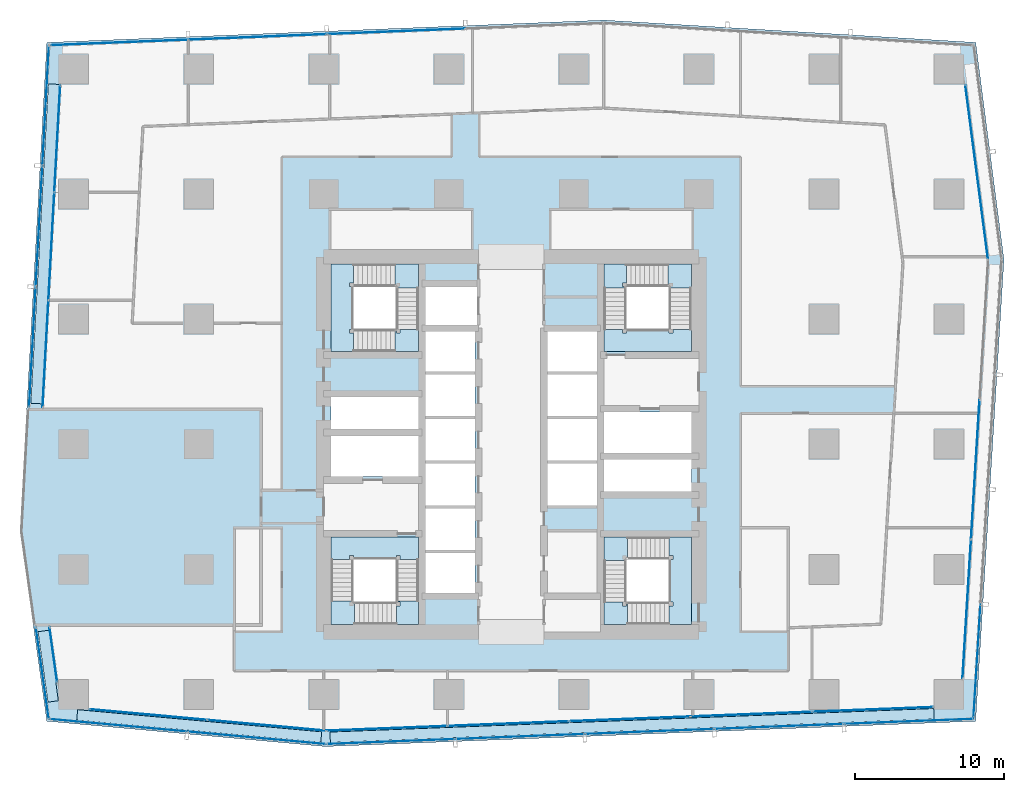
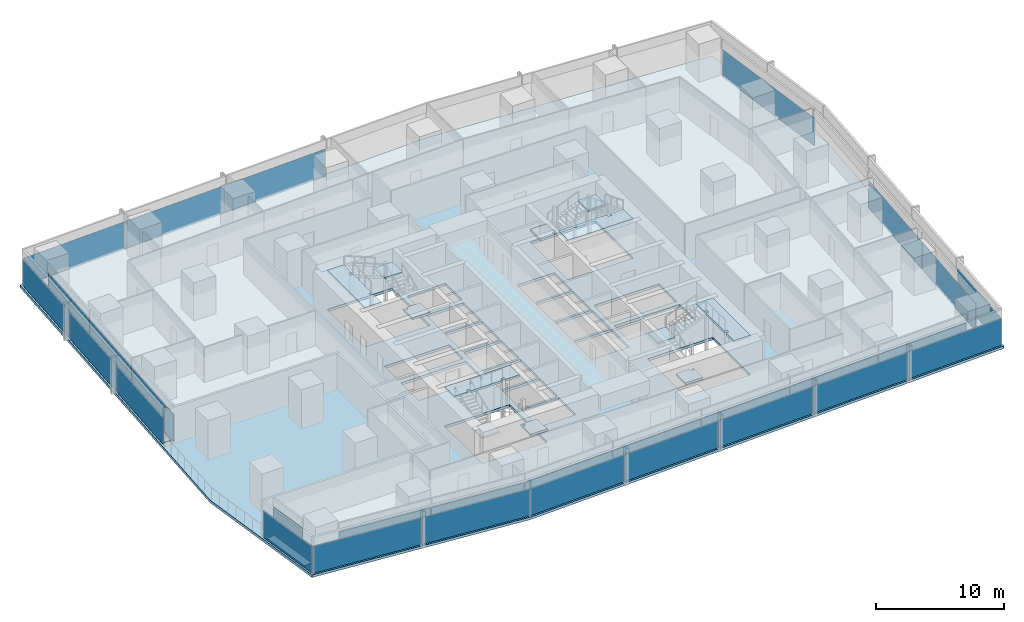
# One storey, part 24 of 36: 33 plates, 13 slabs, 16 elements without a shape of their own.
"""IFC4 building model written with IfcOpenShell, lengths in metres."""

from ifc_helpers import new_model, si_unit, direction, frame, origin, origin_2d, place, context, subcontext, project, spatial, polyline, rectangle, outline, extrude, material, layer, layer_set, type_object, element, aggregate, save


model = new_model("IFC4")

# Units and contexts
model_context = context("Model", 3, precision=1e-05, world=origin(), true_north=direction((0.0, 1.0)))
body_context = subcontext(model_context, "Body", "Model", "MODEL_VIEW")
ifc_project = project(units=[si_unit("LENGTHUNIT", "METRE"), si_unit("AREAUNIT", "SQUARE_METRE"), si_unit("VOLUMEUNIT", "CUBIC_METRE"), si_unit("PLANEANGLEUNIT", "RADIAN"), si_unit("MASSUNIT", "GRAM", prefix="KILO")], contexts=[model_context])

# Site, building, storey
site_placement = place(None, origin())
site = spatial("IfcSite", under=ifc_project, at=site_placement, CompositionType="ELEMENT")
building_placement = place(site_placement, origin())
building = spatial("IfcBuilding", under=site, at=building_placement, Name="Rekha Terrace Tower", CompositionType="ELEMENT")
storey_placement = place(building_placement, frame((0.0, 0.0, 144.050048828125)))
storey = spatial("IfcBuildingStorey", under=building, at=storey_placement, Name="L36", CompositionType="ELEMENT", Elevation=144.050048828125)

# Curtain wall, plates
ifc_material_1 = material(Name="Aluminium framing", Category="aluminium")
curtain_wall_type_1 = type_object("IfcCurtainWallType", Name="CW1 double skin inner glazing", PredefinedType="USERDEFINED", material=ifc_material_1)
curtain_wall_1_placement = place(storey_placement, origin())
curtain_wall_1 = element("IfcCurtainWall", 1, at=curtain_wall_1_placement, inside=storey, type_object=curtain_wall_type_1, Name="CW1 double skin inner glazing", ObjectType="DOUBLE SKIN INNER GLAZING", PredefinedType="USERDEFINED")
ifc_material_2 = material(Name="Double-glazed low-e unit 32", Category="glass")
ifc_layer_1 = layer(ifc_material_2, 0.031982421875)
ifc_layer_set_1 = layer_set([ifc_layer_1], Name="Double-glazed low-e unit 32")
plate_type_1 = type_object("IfcPlateType", Name="CW1 jumbo vision panel, double-glazed low-e unit 32", PredefinedType="CURTAIN_PANEL", material=ifc_layer_set_1)
plate_1_placement = place(storey_placement, frame((13.418701171875, 15.445068359375, 0.0), z_axis=(0.0, 0.0, 1.0), x_axis=(0.995901923142, -0.090439811381, 0.0)))
plate_1 = element("IfcPlate", 2, at=plate_1_placement, type_object=plate_type_1, Name="CW1 panel 1.1", PredefinedType="CURTAIN_PANEL", context=body_context, shape_type="SweptSolid", body=[
    extrude(rectangle(XDim=7.898681640625, YDim=0.031982421875, at=origin_2d()), origin(), (0.0, 0.0, 1.0), 2.60009765625),
])
plate_2_placement = place(storey_placement, frame((21.382080078125, 14.721923828125, 0.0), z_axis=(0.0, 0.0, 1.0), x_axis=(0.995901923142, -0.090439811381, 0.0)))
plate_2 = element("IfcPlate", 3, at=plate_2_placement, type_object=plate_type_1, Name="CW1 panel 2.1", PredefinedType="CURTAIN_PANEL", context=body_context, shape_type="SweptSolid", body=[
    extrude(rectangle(XDim=7.963623046875, YDim=0.031982421875, at=origin_2d()), origin(), (0.0, 0.0, 1.0), 2.60009765625),
])
aggregate(curtain_wall_1, [plate_1, plate_2])

curtain_wall_2_placement = place(storey_placement, origin())
curtain_wall_2 = element("IfcCurtainWall", 4, at=curtain_wall_2_placement, inside=storey, type_object=curtain_wall_type_1, Name="CW1 double skin inner glazing", ObjectType="DOUBLE SKIN INNER GLAZING", PredefinedType="USERDEFINED")
plate_3_placement = place(storey_placement, frame((29.446533203125, 14.521484375, 0.0), z_axis=(0.0, 0.0, 1.0), x_axis=(0.999243498918, 0.038889971328, 0.0)))
plate_3 = element("IfcPlate", 5, at=plate_3_placement, type_object=plate_type_1, Name="CW1 panel 1.1", PredefinedType="CURTAIN_PANEL", context=body_context, shape_type="SweptSolid", body=[
    extrude(rectangle(XDim=8.074462890625, YDim=0.031982421875, at=origin_2d()), origin(), (0.0, 0.0, 1.0), 2.60009765625),
])
plate_4_placement = place(storey_placement, frame((37.59619140625, 14.838623046875, 0.0), z_axis=(0.0, 0.0, 1.0), x_axis=(0.999243498918, 0.038889971328, 0.0)))
plate_4 = element("IfcPlate", 6, at=plate_4_placement, type_object=plate_type_1, Name="CW1 panel 2.1", PredefinedType="CURTAIN_PANEL", context=body_context, shape_type="SweptSolid", body=[
    extrude(rectangle(XDim=8.10693359375, YDim=0.031982421875, at=origin_2d()), origin(), (0.0, 0.0, 1.0), 2.60009765625),
])
plate_5_placement = place(storey_placement, frame((45.761962890625, 15.156494140625, 0.0), z_axis=(0.0, 0.0, 1.0), x_axis=(0.999243498918, 0.038889971328, 0.0)))
plate_5 = element("IfcPlate", 7, at=plate_5_placement, type_object=plate_type_1, Name="CW1 panel 3.1", PredefinedType="CURTAIN_PANEL", context=body_context, shape_type="SweptSolid", body=[
    extrude(rectangle(XDim=8.10693359375, YDim=0.031982421875, at=origin_2d()), origin(), (0.0, 0.0, 1.0), 2.60009765625),
])
plate_6_placement = place(storey_placement, frame((53.927734375, 15.47412109375, 0.0), z_axis=(0.0, 0.0, 1.0), x_axis=(0.999243498918, 0.038889971328, 0.0)))
plate_6 = element("IfcPlate", 8, at=plate_6_placement, type_object=plate_type_1, Name="CW1 panel 4.1", PredefinedType="CURTAIN_PANEL", context=body_context, shape_type="SweptSolid", body=[
    extrude(rectangle(XDim=8.10693359375, YDim=0.031982421875, at=origin_2d()), origin(), (0.0, 0.0, 1.0), 2.60009765625),
])
plate_7_placement = place(storey_placement, frame((62.0771484375, 15.791259765625, 0.0), z_axis=(0.0, 0.0, 1.0), x_axis=(0.999243498918, 0.038889971328, 0.0)))
plate_7 = element("IfcPlate", 9, at=plate_7_placement, type_object=plate_type_1, Name="CW1 panel 5.1", PredefinedType="CURTAIN_PANEL", context=body_context, shape_type="SweptSolid", body=[
    extrude(rectangle(XDim=8.074462890625, YDim=0.031982421875, at=origin_2d()), origin(), (0.0, 0.0, 1.0), 2.60009765625),
])
aggregate(curtain_wall_2, [plate_3, plate_4, plate_5, plate_6, plate_7])

curtain_wall_3_placement = place(storey_placement, origin())
curtain_wall_3 = element("IfcCurtainWall", 10, at=curtain_wall_3_placement, inside=storey, type_object=curtain_wall_type_1, Name="CW1 double skin inner glazing", ObjectType="DOUBLE SKIN INNER GLAZING", PredefinedType="USERDEFINED")
plate_8_placement = place(storey_placement, frame((68.399658203125, 22.53271484375, 0.0), z_axis=(0.0, 0.0, 1.0), x_axis=(0.061159803131, 0.998127987024, 0.0)))
plate_8 = element("IfcPlate", 11, at=plate_8_placement, type_object=plate_type_1, Name="CW1 panel 1.1", PredefinedType="CURTAIN_PANEL", context=body_context, shape_type="SweptSolid", body=[
    extrude(rectangle(XDim=9.30224609375, YDim=0.031982421875, at=origin_2d()), origin(), (0.0, 0.0, 1.0), 2.60009765625),
])
plate_9_placement = place(storey_placement, frame((68.973388671875, 31.898681640625, 0.0), z_axis=(0.0, 0.0, 1.0), x_axis=(0.061159803131, 0.998127987024, 0.0)))
plate_9 = element("IfcPlate", 12, at=plate_9_placement, type_object=plate_type_1, Name="CW1 panel 2.1", PredefinedType="CURTAIN_PANEL", context=body_context, shape_type="SweptSolid", body=[
    extrude(rectangle(XDim=9.334716796875, YDim=0.031982421875, at=origin_2d()), origin(), (0.0, 0.0, 1.0), 2.60009765625),
])
aggregate(curtain_wall_3, [plate_8, plate_9])

# Curtain wall, plate
curtain_wall_4_placement = place(storey_placement, origin())
curtain_wall_4 = element("IfcCurtainWall", 13, at=curtain_wall_4_placement, inside=storey, type_object=curtain_wall_type_1, Name="CW1 double skin inner glazing", ObjectType="DOUBLE SKIN INNER GLAZING", PredefinedType="USERDEFINED")
plate_10_placement = place(storey_placement, frame((69.066162109375, 51.882080078125, 0.0), z_axis=(0.0, 0.0, 1.0), x_axis=(-0.129118383675, 0.991629186237, 0.0)))
plate_10 = element("IfcPlate", 14, at=plate_10_placement, type_object=plate_type_1, Name="CW1 panel 1.1", PredefinedType="CURTAIN_PANEL", context=body_context, shape_type="SweptSolid", body=[
    extrude(rectangle(XDim=11.79052734375, YDim=0.031982421875, at=origin_2d()), origin(), (0.0, 0.0, 1.0), 2.60009765625),
])
aggregate(curtain_wall_4, [plate_10])

# Curtain wall, plates
curtain_wall_5_placement = place(storey_placement, origin())
curtain_wall_5 = element("IfcCurtainWall", 15, at=curtain_wall_5_placement, inside=storey, type_object=curtain_wall_type_1, Name="CW1 double skin inner glazing", ObjectType="DOUBLE SKIN INNER GLAZING", PredefinedType="USERDEFINED")
plate_11_placement = place(storey_placement, frame((7.30712890625, 54.13671875, 0.0), z_axis=(0.0, 0.0, 1.0), x_axis=(-0.05474235269, -0.998500513181, 0.0)))
plate_11 = element("IfcPlate", 16, at=plate_11_placement, type_object=plate_type_1, Name="CW1 panel 1.1", PredefinedType="CURTAIN_PANEL", context=body_context, shape_type="SweptSolid", body=[
    extrude(rectangle(XDim=7.1572265625, YDim=0.031982421875, at=origin_2d()), origin(), (0.0, 0.0, 1.0), 2.60009765625),
])
plate_12_placement = place(storey_placement, frame((6.910888671875, 46.908935546875, 0.0), z_axis=(0.0, 0.0, 1.0), x_axis=(-0.05474235269, -0.998500513181, 0.0)))
plate_12 = element("IfcPlate", 17, at=plate_12_placement, type_object=plate_type_1, Name="CW1 panel 2.1", PredefinedType="CURTAIN_PANEL", context=body_context, shape_type="SweptSolid", body=[
    extrude(rectangle(XDim=7.18994140625, YDim=0.031982421875, at=origin_2d()), origin(), (0.0, 0.0, 1.0), 2.60009765625),
])
plate_13_placement = place(storey_placement, frame((6.5146484375, 39.68115234375, 0.0), z_axis=(0.0, 0.0, 1.0), x_axis=(-0.05474235269, -0.998500513181, 0.0)))
plate_13 = element("IfcPlate", 18, at=plate_13_placement, type_object=plate_type_1, Name="CW1 panel 3.1", PredefinedType="CURTAIN_PANEL", context=body_context, shape_type="SweptSolid", body=[
    extrude(rectangle(XDim=7.1572265625, YDim=0.031982421875, at=origin_2d()), origin(), (0.0, 0.0, 1.0), 2.60009765625),
])
aggregate(curtain_wall_5, [plate_11, plate_12, plate_13])

# Curtain wall, plate
curtain_wall_6_placement = place(storey_placement, origin())
curtain_wall_6 = element("IfcCurtainWall", 19, at=curtain_wall_6_placement, inside=storey, type_object=curtain_wall_type_1, Name="CW1 double skin inner glazing", ObjectType="DOUBLE SKIN INNER GLAZING", PredefinedType="USERDEFINED")
plate_14_placement = place(storey_placement, frame((7.038330078125, 19.4833984375, 0.0), z_axis=(0.0, 0.0, 1.0), x_axis=(0.139597048237, -0.990208394291, 0.0)))
plate_14 = element("IfcPlate", 20, at=plate_14_placement, type_object=plate_type_1, Name="CW1 panel 1.1", PredefinedType="CURTAIN_PANEL", context=body_context, shape_type="SweptSolid", body=[
    extrude(rectangle(XDim=3.662353515625, YDim=0.031982421875, at=origin_2d()), origin(), (0.0, 0.0, 1.0), 2.60009765625),
])
aggregate(curtain_wall_6, [plate_14])

# Curtain wall, plates
curtain_wall_type_2 = type_object("IfcCurtainWallType", Name="CW2 double skin outer glazing", PredefinedType="USERDEFINED", material=ifc_material_1)
curtain_wall_7_placement = place(storey_placement, origin())
curtain_wall_7 = element("IfcCurtainWall", 21, at=curtain_wall_7_placement, inside=storey, type_object=curtain_wall_type_2, Name="CW2 double skin outer glazing", ObjectType="DOUBLE SKIN OUTER GLAZING", PredefinedType="USERDEFINED")
ifc_material_3 = material(Name="Toughened single glazing 12", Category="glass")
ifc_layer_2 = layer(ifc_material_3, 0.011962890625)
ifc_layer_set_2 = layer_set([ifc_layer_2], Name="Toughened single glazing 12")
plate_type_2 = type_object("IfcPlateType", Name="CW2 jumbo vision panel, toughened single glazing 12", PredefinedType="CURTAIN_PANEL", material=ifc_layer_set_2)
plate_15_placement = place(storey_placement, frame((11.406494140625, 14.72412109375, 0.0), z_axis=(0.0, 0.0, 1.0), x_axis=(0.995901923137, -0.090439811433, 0.0)))
plate_15 = element("IfcPlate", 22, at=plate_15_placement, type_object=plate_type_2, Name="CW2 panel 1.1", PredefinedType="CURTAIN_PANEL", context=body_context, shape_type="SweptSolid", body=[
    extrude(rectangle(XDim=9.2099609375, YDim=0.011962890625, at=origin_2d()), origin(), (0.0, 0.0, 1.0), 2.60009765625),
])
plate_16_placement = place(storey_placement, frame((20.6982421875, 13.88037109375, 0.0), z_axis=(0.0, 0.0, 1.0), x_axis=(0.995901923137, -0.090439811433, 0.0)))
plate_16 = element("IfcPlate", 23, at=plate_16_placement, type_object=plate_type_2, Name="CW2 panel 2.1", PredefinedType="CURTAIN_PANEL", context=body_context, shape_type="SweptSolid", body=[
    extrude(rectangle(XDim=9.2900390625, YDim=0.011962890625, at=origin_2d()), origin(), (0.0, 0.0, 1.0), 2.60009765625),
])
aggregate(curtain_wall_7, [plate_15, plate_16])

curtain_wall_8_placement = place(storey_placement, origin())
curtain_wall_8 = element("IfcCurtainWall", 24, at=curtain_wall_8_placement, inside=storey, type_object=curtain_wall_type_2, Name="CW2 double skin outer glazing", ObjectType="DOUBLE SKIN OUTER GLAZING", PredefinedType="USERDEFINED")
plate_17_placement = place(storey_placement, frame((29.696533203125, 13.63037109375, 0.0), z_axis=(0.0, 0.0, 1.0), x_axis=(0.999243498917, 0.038889971345, 0.0)))
plate_17 = element("IfcPlate", 25, at=plate_17_placement, type_object=plate_type_2, Name="CW2 panel 1.1", PredefinedType="CURTAIN_PANEL", context=body_context, shape_type="SweptSolid", body=[
    extrude(rectangle(XDim=8.591552734375, YDim=0.011962890625, at=origin_2d()), origin(), (0.0, 0.0, 1.0), 2.60009765625),
])
plate_18_placement = place(storey_placement, frame((38.381591796875, 13.968505859375, 0.0), z_axis=(0.0, 0.0, 1.0), x_axis=(0.999243498917, 0.038889971345, 0.0)))
plate_18 = element("IfcPlate", 26, at=plate_18_placement, type_object=plate_type_2, Name="CW2 panel 2.1", PredefinedType="CURTAIN_PANEL", context=body_context, shape_type="SweptSolid", body=[
    extrude(rectangle(XDim=8.631591796875, YDim=0.011962890625, at=origin_2d()), origin(), (0.0, 0.0, 1.0), 2.60009765625),
])
plate_19_placement = place(storey_placement, frame((47.086669921875, 14.307373046875, 0.0), z_axis=(0.0, 0.0, 1.0), x_axis=(0.999243498917, 0.038889971345, 0.0)))
plate_19 = element("IfcPlate", 27, at=plate_19_placement, type_object=plate_type_2, Name="CW2 panel 3.1", PredefinedType="CURTAIN_PANEL", context=body_context, shape_type="SweptSolid", body=[
    extrude(rectangle(XDim=8.631591796875, YDim=0.011962890625, at=origin_2d()), origin(), (0.0, 0.0, 1.0), 2.60009765625),
])
plate_20_placement = place(storey_placement, frame((55.791748046875, 14.64599609375, 0.0), z_axis=(0.0, 0.0, 1.0), x_axis=(0.999243498917, 0.038889971345, 0.0)))
plate_20 = element("IfcPlate", 28, at=plate_20_placement, type_object=plate_type_2, Name="CW2 panel 4.1", PredefinedType="CURTAIN_PANEL", context=body_context, shape_type="SweptSolid", body=[
    extrude(rectangle(XDim=8.631591796875, YDim=0.011962890625, at=origin_2d()), origin(), (0.0, 0.0, 1.0), 2.60009765625),
])
plate_21_placement = place(storey_placement, frame((64.5166015625, 14.985595703125, 0.0), z_axis=(0.0, 0.0, 1.0), x_axis=(0.999243498917, 0.038889971345, 0.0)))
plate_21 = element("IfcPlate", 29, at=plate_21_placement, type_object=plate_type_2, Name="CW2 panel 5.1", PredefinedType="CURTAIN_PANEL", context=body_context, shape_type="SweptSolid", body=[
    extrude(rectangle(XDim=8.671630859375, YDim=0.011962890625, at=origin_2d()), origin(), (0.0, 0.0, 1.0), 2.60009765625),
])
aggregate(curtain_wall_8, [plate_17, plate_18, plate_19, plate_20, plate_21])

# Curtain wall, plate
curtain_wall_9_placement = place(storey_placement, origin())
curtain_wall_9 = element("IfcCurtainWall", 30, at=curtain_wall_9_placement, inside=storey, type_object=curtain_wall_type_2, Name="CW2 double skin outer glazing", ObjectType="DOUBLE SKIN OUTER GLAZING", PredefinedType="USERDEFINED")
plate_22_placement = place(storey_placement, frame((69.086669921875, 19.0302734375, 0.0), z_axis=(0.0, 0.0, 1.0), x_axis=(0.061159803131, 0.998127987024, 0.0)))
plate_22 = element("IfcPlate", 31, at=plate_22_placement, type_object=plate_type_2, Name="CW2 panel 1.1", PredefinedType="CURTAIN_PANEL", context=body_context, shape_type="SweptSolid", body=[
    extrude(rectangle(XDim=7.6064453125, YDim=0.011962890625, at=origin_2d()), origin(), (0.0, 0.0, 1.0), 2.60009765625),
])
aggregate(curtain_wall_9, [plate_22])

# Curtain wall, plates
curtain_wall_10_placement = place(storey_placement, origin())
curtain_wall_10 = element("IfcCurtainWall", 32, at=curtain_wall_10_placement, inside=storey, type_object=curtain_wall_type_2, Name="CW2 double skin outer glazing", ObjectType="DOUBLE SKIN OUTER GLAZING", PredefinedType="USERDEFINED")
plate_23_placement = place(storey_placement, frame((6.52783203125, 56.35888671875, 0.0), z_axis=(0.0, 0.0, 1.0), x_axis=(-0.054742352707, -0.99850051318, 0.0)))
plate_23 = element("IfcPlate", 33, at=plate_23_placement, type_object=plate_type_2, Name="CW2 panel 1.1", PredefinedType="CURTAIN_PANEL", context=body_context, shape_type="SweptSolid", body=[
    extrude(rectangle(XDim=8.026611328125, YDim=0.011962890625, at=origin_2d()), origin(), (0.0, 0.0, 1.0), 2.60009765625),
])
plate_24_placement = place(storey_placement, frame((6.082763671875, 48.244384765625, 0.0), z_axis=(0.0, 0.0, 1.0), x_axis=(-0.054742352707, -0.99850051318, 0.0)))
plate_24 = element("IfcPlate", 34, at=plate_24_placement, type_object=plate_type_2, Name="CW2 panel 2.1", PredefinedType="CURTAIN_PANEL", context=body_context, shape_type="SweptSolid", body=[
    extrude(rectangle(XDim=8.066650390625, YDim=0.011962890625, at=origin_2d()), origin(), (0.0, 0.0, 1.0), 2.60009765625),
])
plate_25_placement = place(storey_placement, frame((5.637939453125, 40.130126953125, 0.0), z_axis=(0.0, 0.0, 1.0), x_axis=(-0.054742352707, -0.99850051318, 0.0)))
plate_25 = element("IfcPlate", 35, at=plate_25_placement, type_object=plate_type_2, Name="CW2 panel 3.1", PredefinedType="CURTAIN_PANEL", context=body_context, shape_type="SweptSolid", body=[
    extrude(rectangle(XDim=8.026611328125, YDim=0.011962890625, at=origin_2d()), origin(), (0.0, 0.0, 1.0), 2.60009765625),
])
aggregate(curtain_wall_10, [plate_23, plate_24, plate_25])

# Curtain wall, plate
curtain_wall_11_placement = place(storey_placement, origin())
curtain_wall_11 = element("IfcCurtainWall", 36, at=curtain_wall_11_placement, inside=storey, type_object=curtain_wall_type_2, Name="CW2 double skin outer glazing", ObjectType="DOUBLE SKIN OUTER GLAZING", PredefinedType="USERDEFINED")
plate_26_placement = place(storey_placement, frame((6.308349609375, 18.21484375, 0.0), z_axis=(0.0, 0.0, 1.0), x_axis=(0.139597048099, -0.99020839431, 0.0)))
plate_26 = element("IfcPlate", 37, at=plate_26_placement, type_object=plate_type_2, Name="CW2 panel 1.1", PredefinedType="CURTAIN_PANEL", context=body_context, shape_type="SweptSolid", body=[
    extrude(rectangle(XDim=6.194580078125, YDim=0.011962890625, at=origin_2d()), origin(), (0.0, 0.0, 1.0), 2.60009765625),
])
aggregate(curtain_wall_11, [plate_26])

# Curtain wall, plates
curtain_wall_type_3 = type_object("IfcCurtainWallType", Name="CW3 north unitised glazing", PredefinedType="USERDEFINED", material=ifc_material_1)
curtain_wall_12_placement = place(storey_placement, origin())
curtain_wall_12 = element("IfcCurtainWall", 38, at=curtain_wall_12_placement, inside=storey, type_object=curtain_wall_type_3, Name="CW3 unitised curtain wall", ObjectType="UNITISED CURTAIN WALL", PredefinedType="USERDEFINED")
ifc_material_4 = material(Name="Double-glazed unit 28", Category="glass")
ifc_layer_3 = layer(ifc_material_4, 0.028076171875)
ifc_layer_set_3 = layer_set([ifc_layer_3], Name="Double-glazed unit 28")
plate_type_3 = type_object("IfcPlateType", Name="CW3 jumbo vision panel, double-glazed unit 28", PredefinedType="CURTAIN_PANEL", material=ifc_layer_set_3)
plate_27_placement = place(storey_placement, frame((30.06982421875, 61.340087890625, 0.0), z_axis=(0.0, 0.0, 1.0), x_axis=(-0.999198398721, -0.040031987119, 0.0)))
plate_27 = element("IfcPlate", 39, at=plate_27_placement, type_object=plate_type_3, Name="CW3 panel 2.1", PredefinedType="CURTAIN_PANEL", context=body_context, shape_type="SweptSolid", body=[
    extrude(rectangle(XDim=9.24951171875, YDim=0.028076171875, at=origin_2d()), origin(), (0.0, 0.0, 1.0), 2.60009765625),
])
plate_28_placement = place(storey_placement, frame((20.7578125, 60.967041015625, 0.0), z_axis=(0.0, 0.0, 1.0), x_axis=(-0.999198398721, -0.040031987119, 0.0)))
plate_28 = element("IfcPlate", 40, at=plate_28_placement, type_object=plate_type_3, Name="CW3 panel 3.1", PredefinedType="CURTAIN_PANEL", context=body_context, shape_type="SweptSolid", body=[
    extrude(rectangle(XDim=9.24951171875, YDim=0.028076171875, at=origin_2d()), origin(), (0.0, 0.0, 1.0), 2.60009765625),
])
plate_29_placement = place(storey_placement, frame((11.46337890625, 60.5947265625, 0.0), z_axis=(0.0, 0.0, 1.0), x_axis=(-0.999198398721, -0.040031987119, 0.0)))
plate_29 = element("IfcPlate", 41, at=plate_29_placement, type_object=plate_type_3, Name="CW3 panel 4.1", PredefinedType="CURTAIN_PANEL", context=body_context, shape_type="SweptSolid", body=[
    extrude(rectangle(XDim=9.214599609375, YDim=0.028076171875, at=origin_2d()), origin(), (0.0, 0.0, 1.0), 2.60009765625),
])
aggregate(curtain_wall_12, [plate_27, plate_28, plate_29])

# Plates
ifc_material_5 = material(Name="Galvanised steel open grating", Category="steel")
ifc_layer_4 = layer(ifc_material_5, 0.050048828125)
ifc_layer_set_4 = layer_set([ifc_layer_4], Name="Galvanised steel open grating")
plate_type_4 = type_object("IfcPlateType", Name="GT1 cavity walkway grating 50", PredefinedType="USERDEFINED", material=ifc_layer_set_4)
plate_30_placement = place(storey_placement, frame((16.838623046875, 14.6826171875, 0.0), z_axis=(0.0, 0.0, 1.0), x_axis=(0.99590192314, -0.090439811399, 0.0)))
element("IfcPlate", 42, at=plate_30_placement, inside=storey, type_object=plate_type_4, Name="Cavity walkway grating", ObjectType="CAVITY WALKWAY GRATING", PredefinedType="USERDEFINED", context=body_context, shape_type="SweptSolid", body=[
    extrude(rectangle(XDim=16.464111328125, YDim=0.705078125, at=origin_2d()), origin(), (0.0, 0.0, 1.0), 0.050048828125),
])
plate_31_placement = place(storey_placement, frame((45.91357421875, 14.7119140625, 0.0), z_axis=(0.0, 0.0, 1.0), x_axis=(0.999243498917, 0.038889971345, 0.0)))
element("IfcPlate", 43, at=plate_31_placement, inside=storey, type_object=plate_type_4, Name="Cavity walkway grating", ObjectType="CAVITY WALKWAY GRATING", PredefinedType="USERDEFINED", context=body_context, shape_type="SweptSolid", body=[
    extrude(rectangle(XDim=40.586669921875, YDim=0.705078125, at=origin_2d()), origin(), (0.0, 0.0, 1.0), 0.050048828125),
])
plate_32_placement = place(storey_placement, frame((6.46923828125, 47.070556640625, 0.0), z_axis=(0.0, 0.0, 1.0), x_axis=(-0.05474235269, -0.998500513181, 0.0)))
element("IfcPlate", 44, at=plate_32_placement, inside=storey, type_object=plate_type_4, Name="Cavity walkway grating", ObjectType="CAVITY WALKWAY GRATING", PredefinedType="USERDEFINED", context=body_context, shape_type="SweptSolid", body=[
    extrude(rectangle(XDim=21.488525390625, YDim=0.705078125, at=origin_2d()), origin(), (0.0, 0.0, 1.0), 0.050048828125),
])
plate_33_placement = place(storey_placement, frame((6.69482421875, 18.697509765625, 0.0), z_axis=(0.0, 0.0, 1.0), x_axis=(0.139597048064, -0.990208394315, 0.0)))
element("IfcPlate", 45, at=plate_33_placement, inside=storey, type_object=plate_type_4, Name="Cavity walkway grating", ObjectType="CAVITY WALKWAY GRATING", PredefinedType="USERDEFINED", context=body_context, shape_type="SweptSolid", body=[
    extrude(rectangle(XDim=4.779541015625, YDim=0.705078125, at=origin_2d()), origin(), (0.0, 0.0, 1.0), 0.050048828125),
])

# Stair, slabs
ifc_material_6 = material(Name="Concrete M40", Category="concrete")
stair_type = type_object("IfcStairType", Name="ST30 stair, 30 risers of 125, going 310, 1500 wide flights, 3 flights", PredefinedType="HALF_TURN_STAIR", material=ifc_material_6)
stair_1_placement = place(storey_placement, origin())
stair_1 = element("IfcStair", 46, at=stair_1_placement, inside=storey, type_object=stair_type, Name="Stair ST1 L36 to L37", PredefinedType="HALF_TURN_STAIR")
ifc_layer_5 = layer(ifc_material_6, 0.199951171875)
ifc_layer_set_5 = layer_set([ifc_layer_5], Name="Concrete M40")
slab_type_1 = type_object("IfcSlabType", Name="LD1 200 concrete stair landing", PredefinedType="LANDING", material=ifc_layer_set_5)
slab_1_placement = place(storey_placement, frame((0.0, 0.0, 1.050048828125)))
slab_1 = element("IfcSlab", 47, at=slab_1_placement, type_object=slab_type_1, Name="ST1 landing 1", PredefinedType="LANDING", context=body_context, shape_type="SweptSolid", body=[
    extrude(outline(polyline([(30.074951171875, 21.5), (31.574951171875, 21.5), (31.574951171875, 23.0849609375), (30.074951171875, 23.0849609375), (30.074951171875, 23.0), (30.324951171875, 23.0), (30.324951171875, 22.75), (30.074951171875, 22.75), (30.074951171875, 21.5)])), origin(), (0.0, 0.0, 1.0), 0.199951171875),
])
slab_2_placement = place(storey_placement, frame((0.0, 0.0, 2.300048828125)))
slab_2 = element("IfcSlab", 48, at=slab_2_placement, type_object=slab_type_1, Name="ST1 landing 2", PredefinedType="LANDING", context=body_context, shape_type="SweptSolid", body=[
    extrude(outline(polyline([(27.199951171875, 23.0849609375), (25.699951171875, 23.0849609375), (25.699951171875, 21.5), (27.284912109375, 21.5), (27.284912109375, 23.0), (27.199951171875, 23.0), (27.199951171875, 23.0849609375)])), origin(), (0.0, 0.0, 1.0), 0.199951171875),
])
slab_3_placement = place(storey_placement, frame((0.0, 0.0, 3.550048828125)))
slab_3 = element("IfcSlab", 49, at=slab_3_placement, type_object=slab_type_1, Name="ST1 landing 3", PredefinedType="LANDING", context=body_context, shape_type="SweptSolid", body=[
    extrude(outline(polyline([(31.574951171875, 25.875), (31.574951171875, 27.375), (25.699951171875, 27.375), (25.699951171875, 25.875), (26.949951171875, 25.875), (26.949951171875, 26.125), (27.199951171875, 26.125), (27.199951171875, 25.875), (30.074951171875, 25.875), (30.074951171875, 26.125), (30.324951171875, 26.125), (30.324951171875, 25.875), (31.574951171875, 25.875)])), origin(), (0.0, 0.0, 1.0), 0.199951171875),
])
aggregate(stair_1, [slab_1, slab_2, slab_3])

stair_2_placement = place(storey_placement, origin())
stair_2 = element("IfcStair", 50, at=stair_2_placement, inside=storey, type_object=stair_type, Name="Stair ST2 L36 to L37", PredefinedType="HALF_TURN_STAIR")
slab_4_placement = place(storey_placement, frame((0.0, 0.0, 1.050048828125)))
slab_4 = element("IfcSlab", 51, at=slab_4_placement, type_object=slab_type_1, Name="ST2 landing 1", PredefinedType="LANDING", context=body_context, shape_type="SweptSolid", body=[
    extrude(outline(polyline([(45.52490234375, 45.699951171875), (44.02490234375, 45.699951171875), (44.02490234375, 44.114990234375), (45.52490234375, 44.114990234375), (45.52490234375, 44.199951171875), (45.27490234375, 44.199951171875), (45.27490234375, 44.449951171875), (45.52490234375, 44.449951171875), (45.52490234375, 45.699951171875)])), origin(), (0.0, 0.0, 1.0), 0.199951171875),
])
slab_5_placement = place(storey_placement, frame((0.0, 0.0, 2.300048828125)))
slab_5 = element("IfcSlab", 52, at=slab_5_placement, type_object=slab_type_1, Name="ST2 landing 2", PredefinedType="LANDING", context=body_context, shape_type="SweptSolid", body=[
    extrude(outline(polyline([(48.39990234375, 44.114990234375), (49.89990234375, 44.114990234375), (49.89990234375, 45.699951171875), (48.31494140625, 45.699951171875), (48.31494140625, 44.199951171875), (48.39990234375, 44.199951171875), (48.39990234375, 44.114990234375)])), origin(), (0.0, 0.0, 1.0), 0.199951171875),
])
slab_6_placement = place(storey_placement, frame((0.0, 0.0, 3.550048828125)))
slab_6 = element("IfcSlab", 53, at=slab_6_placement, type_object=slab_type_1, Name="ST2 landing 3", PredefinedType="LANDING", context=body_context, shape_type="SweptSolid", body=[
    extrude(outline(polyline([(44.02490234375, 41.324951171875), (44.02490234375, 39.824951171875), (49.89990234375, 39.824951171875), (49.89990234375, 41.324951171875), (48.64990234375, 41.324951171875), (48.64990234375, 41.074951171875), (48.39990234375, 41.074951171875), (48.39990234375, 41.324951171875), (45.52490234375, 41.324951171875), (45.52490234375, 41.074951171875), (45.27490234375, 41.074951171875), (45.27490234375, 41.324951171875), (44.02490234375, 41.324951171875)])), origin(), (0.0, 0.0, 1.0), 0.199951171875),
])
aggregate(stair_2, [slab_4, slab_5, slab_6])

stair_3_placement = place(storey_placement, origin())
stair_3 = element("IfcStair", 54, at=stair_3_placement, inside=storey, type_object=stair_type, Name="Stair ST3 L36 to L37", PredefinedType="HALF_TURN_STAIR")
slab_7_placement = place(storey_placement, frame((0.0, 0.0, 1.050048828125)))
slab_7 = element("IfcSlab", 55, at=slab_7_placement, type_object=slab_type_1, Name="ST3 landing 1", PredefinedType="LANDING", context=body_context, shape_type="SweptSolid", body=[
    extrude(outline(polyline([(44.02490234375, 23.0), (44.02490234375, 21.5), (45.610107421875, 21.5), (45.610107421875, 23.0), (45.52490234375, 23.0), (45.52490234375, 22.75), (45.27490234375, 22.75), (45.27490234375, 23.0), (44.02490234375, 23.0)])), origin(), (0.0, 0.0, 1.0), 0.199951171875),
])
slab_8_placement = place(storey_placement, frame((0.0, 0.0, 2.300048828125)))
slab_8 = element("IfcSlab", 56, at=slab_8_placement, type_object=slab_type_1, Name="ST3 landing 2", PredefinedType="LANDING", context=body_context, shape_type="SweptSolid", body=[
    extrude(outline(polyline([(45.610107421875, 25.875), (45.610107421875, 27.375), (44.02490234375, 27.375), (44.02490234375, 25.7900390625), (45.52490234375, 25.7900390625), (45.52490234375, 25.875), (45.610107421875, 25.875)])), origin(), (0.0, 0.0, 1.0), 0.199951171875),
])
slab_9_placement = place(storey_placement, frame((0.0, 0.0, 3.550048828125)))
slab_9 = element("IfcSlab", 57, at=slab_9_placement, type_object=slab_type_1, Name="ST3 landing 3", PredefinedType="LANDING", context=body_context, shape_type="SweptSolid", body=[
    extrude(outline(polyline([(48.39990234375, 21.5), (49.89990234375, 21.5), (49.89990234375, 27.375), (48.39990234375, 27.375), (48.39990234375, 26.125), (48.64990234375, 26.125), (48.64990234375, 25.875), (48.39990234375, 25.875), (48.39990234375, 23.0), (48.64990234375, 23.0), (48.64990234375, 22.75), (48.39990234375, 22.75), (48.39990234375, 21.5)])), origin(), (0.0, 0.0, 1.0), 0.199951171875),
])
aggregate(stair_3, [slab_7, slab_8, slab_9])

stair_4_placement = place(storey_placement, origin())
stair_4 = element("IfcStair", 58, at=stair_4_placement, inside=storey, type_object=stair_type, Name="Stair ST4 L36 to L37", PredefinedType="HALF_TURN_STAIR")
slab_10_placement = place(storey_placement, frame((0.0, 0.0, 1.050048828125)))
slab_10 = element("IfcSlab", 59, at=slab_10_placement, type_object=slab_type_1, Name="ST4 landing 1", PredefinedType="LANDING", context=body_context, shape_type="SweptSolid", body=[
    extrude(outline(polyline([(31.574951171875, 41.324951171875), (31.574951171875, 39.824951171875), (29.989990234375, 39.824951171875), (29.989990234375, 41.324951171875), (30.074951171875, 41.324951171875), (30.074951171875, 41.074951171875), (30.324951171875, 41.074951171875), (30.324951171875, 41.324951171875), (31.574951171875, 41.324951171875)])), origin(), (0.0, 0.0, 1.0), 0.199951171875),
])
slab_11_placement = place(storey_placement, frame((0.0, 0.0, 2.300048828125)))
slab_11 = element("IfcSlab", 60, at=slab_11_placement, type_object=slab_type_1, Name="ST4 landing 2", PredefinedType="LANDING", context=body_context, shape_type="SweptSolid", body=[
    extrude(outline(polyline([(29.989990234375, 44.199951171875), (29.989990234375, 45.699951171875), (31.574951171875, 45.699951171875), (31.574951171875, 44.114990234375), (30.074951171875, 44.114990234375), (30.074951171875, 44.199951171875), (29.989990234375, 44.199951171875)])), origin(), (0.0, 0.0, 1.0), 0.199951171875),
])
slab_12_placement = place(storey_placement, frame((0.0, 0.0, 3.550048828125)))
slab_12 = element("IfcSlab", 61, at=slab_12_placement, type_object=slab_type_1, Name="ST4 landing 3", PredefinedType="LANDING", context=body_context, shape_type="SweptSolid", body=[
    extrude(outline(polyline([(27.199951171875, 39.824951171875), (25.699951171875, 39.824951171875), (25.699951171875, 45.699951171875), (27.199951171875, 45.699951171875), (27.199951171875, 44.449951171875), (26.949951171875, 44.449951171875), (26.949951171875, 44.199951171875), (27.199951171875, 44.199951171875), (27.199951171875, 41.324951171875), (26.949951171875, 41.324951171875), (26.949951171875, 41.074951171875), (27.199951171875, 41.074951171875), (27.199951171875, 39.824951171875)])), origin(), (0.0, 0.0, 1.0), 0.199951171875),
])
aggregate(stair_4, [slab_10, slab_11, slab_12])

# Slab
ifc_material_7 = material(Name="Concrete M50", Category="concrete")
ifc_layer_6 = layer(ifc_material_7, 0.25)
ifc_layer_set_6 = layer_set([ifc_layer_6], Name="Concrete M50")
slab_type_2 = type_object("IfcSlabType", Name="SL4 250 post-tensioned flat plate", PredefinedType="FLOOR", material=ifc_layer_set_6)
slab_13_placement = place(storey_placement, frame((0.0, 0.0, -0.25)))
element("IfcSlab", 62, at=slab_13_placement, inside=storey, type_object=slab_type_2, Name="Post-tensioned flat plate L36", PredefinedType="FLOOR", context=body_context, shape_type="SweptSolid", body=[
    extrude(outline(polyline([(4.800048828125, 27.76806640625), (6.60009765625, 15.0), (25.320068359375, 13.300048828125), (69.0, 15.0), (70.89990234375, 46.008056640625), (69.0, 60.60009765625), (44.0400390625, 62.10009765625), (6.60009765625, 60.60009765625), (4.800048828125, 27.76806640625)]), holes=[polyline([(31.574951171875, 27.375), (31.574951171875, 21.5), (25.699951171875, 21.5), (25.699951171875, 27.375), (31.574951171875, 27.375)]), polyline([(35.375, 26.300048828125), (35.375, 23.625), (32.02490234375, 23.625), (32.02490234375, 26.300048828125), (35.375, 26.300048828125)]), polyline([(35.375, 29.300048828125), (35.375, 26.5), (32.02490234375, 26.5), (32.02490234375, 29.300048828125), (35.375, 29.300048828125)]), polyline([(35.375, 32.300048828125), (35.375, 29.5), (32.02490234375, 29.5), (32.02490234375, 32.300048828125), (35.375, 32.300048828125)]), polyline([(31.574951171875, 34.175048828125), (31.574951171875, 31.425048828125), (25.699951171875, 31.425048828125), (25.699951171875, 34.175048828125), (31.574951171875, 34.175048828125)]), polyline([(35.375, 35.300048828125), (35.375, 32.5), (32.02490234375, 32.5), (32.02490234375, 35.300048828125), (35.375, 35.300048828125)]), polyline([(31.574951171875, 36.77490234375), (31.574951171875, 34.625), (25.699951171875, 34.625), (25.699951171875, 36.77490234375), (31.574951171875, 36.77490234375)]), polyline([(35.375, 35.5), (32.02490234375, 35.5), (32.02490234375, 38.300048828125), (35.375, 38.300048828125), (35.375, 35.5)]), polyline([(35.375, 38.5), (32.02490234375, 38.5), (32.02490234375, 41.175048828125), (35.375, 41.175048828125), (35.375, 38.5)]), polyline([(31.574951171875, 45.699951171875), (31.574951171875, 39.824951171875), (25.699951171875, 39.824951171875), (25.699951171875, 45.699951171875), (31.574951171875, 45.699951171875)]), polyline([(49.89990234375, 27.375), (49.89990234375, 21.5), (44.02490234375, 21.5), (44.02490234375, 27.375), (49.89990234375, 27.375)]), polyline([(43.574951171875, 32.300048828125), (43.574951171875, 29.5), (40.22509765625, 29.5), (40.22509765625, 32.300048828125), (43.574951171875, 32.300048828125)]), polyline([(49.89990234375, 30.425048828125), (44.02490234375, 30.425048828125), (44.02490234375, 32.574951171875), (49.89990234375, 32.574951171875), (49.89990234375, 30.425048828125)]), polyline([(43.574951171875, 32.5), (40.22509765625, 32.5), (40.22509765625, 35.300048828125), (43.574951171875, 35.300048828125), (43.574951171875, 32.5)]), polyline([(49.89990234375, 35.77490234375), (49.89990234375, 33.02490234375), (44.02490234375, 33.02490234375), (44.02490234375, 35.77490234375), (49.89990234375, 35.77490234375)]), polyline([(43.574951171875, 38.300048828125), (43.574951171875, 35.5), (40.22509765625, 35.5), (40.22509765625, 38.300048828125), (43.574951171875, 38.300048828125)]), polyline([(43.574951171875, 41.175048828125), (43.574951171875, 38.5), (40.22509765625, 38.5), (40.22509765625, 41.175048828125), (43.574951171875, 41.175048828125)]), polyline([(49.89990234375, 39.824951171875), (44.02490234375, 39.824951171875), (44.02490234375, 45.699951171875), (49.89990234375, 45.699951171875), (49.89990234375, 39.824951171875)]), polyline([(35.5, 41.625), (32.02490234375, 41.625), (32.02490234375, 44.175048828125), (35.5, 44.175048828125), (35.5, 41.625)])]), origin(), (0.0, 0.0, 1.0), 0.25),
])

save(model, "model.ifc")
